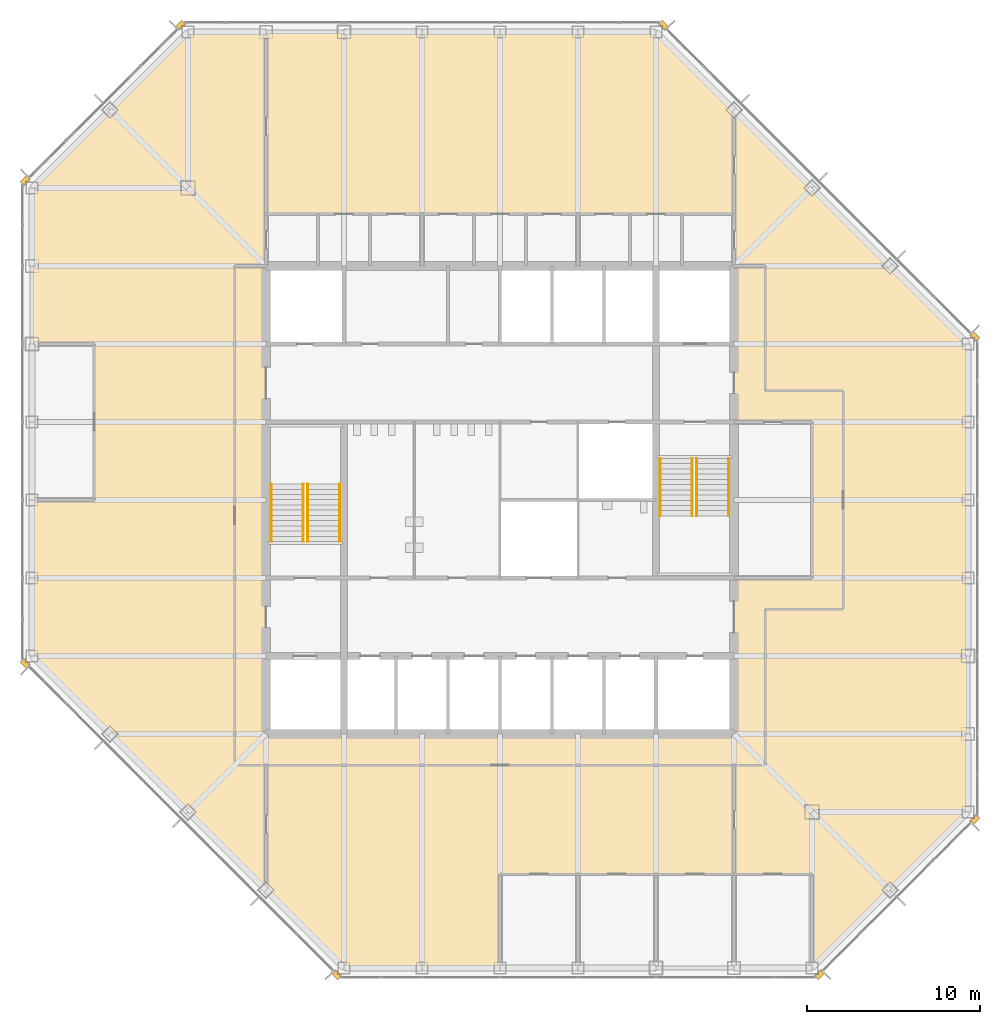
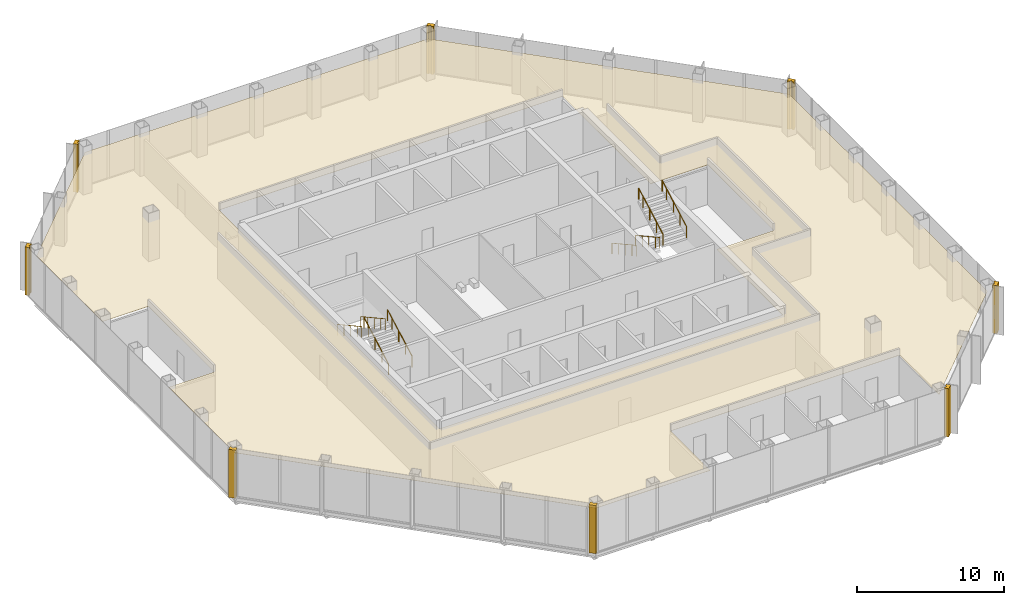
# One storey, part 11 of 12: 9 coverings, 8 railings.
"""IFC4 building model written with IfcOpenShell, lengths in metres."""

from ifc_helpers import new_model, si_unit, direction, frame, origin, origin_2d, place, context, subcontext, project, spatial, polyline, circle, outline, extrude, material, layer, layer_set, type_object, element, save


model = new_model("IFC4")

# Units and contexts
model_context = context("Model", 3, precision=1e-05, world=origin(), true_north=direction((0.0, 1.0)))
body_context = subcontext(model_context, "Body", "Model", "MODEL_VIEW")
ifc_project = project(units=[si_unit("LENGTHUNIT", "METRE"), si_unit("AREAUNIT", "SQUARE_METRE"), si_unit("VOLUMEUNIT", "CUBIC_METRE"), si_unit("PLANEANGLEUNIT", "RADIAN"), si_unit("MASSUNIT", "GRAM", prefix="KILO")], contexts=[model_context])

# Site, building, storey
site_placement = place(None, origin())
site = spatial("IfcSite", under=ifc_project, at=site_placement, CompositionType="ELEMENT")
building_placement = place(site_placement, origin())
building = spatial("IfcBuilding", under=site, at=building_placement, Name="Corais Broadcast Tower", CompositionType="ELEMENT")
storey_placement = place(building_placement, frame((0.0, 0.0, 163.60009765625)))
storey = spatial("IfcBuildingStorey", under=building, at=storey_placement, Name="L37", CompositionType="ELEMENT", Elevation=163.60009765625)

# Railings
ifc_material_1 = material(Name="Stainless steel handrail", Category="steel")
railing_type = type_object("IfcRailingType", Name="Handrail 920", PredefinedType="HANDRAIL", material=ifc_material_1)
for number, where, name in (
    (1, (17.75, 24.60009765625, 0.16650390625), "HR1 L37"),
    (2, (15.89990234375, 24.60009765625, 0.16650390625), "HR1 L37"),
):
    element("IfcRailing", number, at=place(storey_placement, frame(where)), inside=storey, type_object=railing_type, Name=name, PredefinedType="HANDRAIL", context=body_context, shape_type="SweptSolid", body=[
        extrude(circle(Radius=0.02392578125, at=origin_2d()), frame((0.0, 0.0, 0.89599609375), z_axis=(0.0, 0.875504475178, 0.483210010185), x_axis=(-1.0, 0.0, 0.0)), (0.0, 0.0, 1.0), 3.79443359375),
        extrude(circle(Radius=0.02099609375, at=origin_2d()), origin(), (0.0, 0.0, 1.0), 0.871826171875),
        extrude(circle(Radius=0.02099609375, at=origin_2d()), frame((0.0, 0.906005859375, 0.5)), (0.0, 0.0, 1.0), 0.871826171875),
        extrude(circle(Radius=0.02099609375, at=origin_2d()), frame((0.0, 1.81201171875, 1.0)), (0.0, 0.0, 1.0), 0.871826171875),
        extrude(circle(Radius=0.02099609375, at=origin_2d()), frame((0.0, 2.718017578125, 1.500244140625)), (0.0, 0.0, 1.0), 0.871826171875),
        extrude(circle(Radius=0.02099609375, at=origin_2d()), frame((0.0, 3.322021484375, 1.83349609375)), (0.0, 0.0, 1.0), 0.871826171875),
    ])
for number, where, name in (
    (3, (13.800048828125, 27.922119140625, 2.16650390625), "HR1 L37"),
    (4, (15.64990234375, 27.922119140625, 2.16650390625), "HR1 L37"),
    (5, (36.25, 29.39990234375, 0.16650390625), "HR1 L37"),
    (6, (38.10009765625, 29.39990234375, 0.16650390625), "HR1 L37"),
):
    element("IfcRailing", number, at=place(storey_placement, frame(where)), inside=storey, type_object=railing_type, Name=name, PredefinedType="HANDRAIL", context=body_context, shape_type="SweptSolid", body=[
        extrude(circle(Radius=0.02392578125, at=origin_2d()), frame((0.0, 0.0, 0.89599609375), z_axis=(0.0, -0.875504475178, 0.483210010185), x_axis=(1.0, 0.0, 0.0)), (0.0, 0.0, 1.0), 3.79443359375),
        extrude(circle(Radius=0.02099609375, at=origin_2d()), origin(), (0.0, 0.0, 1.0), 0.871826171875),
        extrude(circle(Radius=0.02099609375, at=origin_2d()), frame((0.0, -0.906005859375, 0.5)), (0.0, 0.0, 1.0), 0.871826171875),
        extrude(circle(Radius=0.02099609375, at=origin_2d()), frame((0.0, -1.81201171875, 1.0)), (0.0, 0.0, 1.0), 0.871826171875),
        extrude(circle(Radius=0.02099609375, at=origin_2d()), frame((0.0, -2.718017578125, 1.500244140625)), (0.0, 0.0, 1.0), 0.871826171875),
        extrude(circle(Radius=0.02099609375, at=origin_2d()), frame((0.0, -3.322021484375, 1.83349609375)), (0.0, 0.0, 1.0), 0.871826171875),
    ])
for number, where, name in (
    (7, (40.199951171875, 26.077880859375, 2.16650390625), "HR1 L37"),
    (8, (38.35009765625, 26.077880859375, 2.16650390625), "HR1 L37"),
):
    element("IfcRailing", number, at=place(storey_placement, frame(where)), inside=storey, type_object=railing_type, Name=name, PredefinedType="HANDRAIL", context=body_context, shape_type="SweptSolid", body=[
        extrude(circle(Radius=0.02392578125, at=origin_2d()), frame((0.0, 0.0, 0.89599609375), z_axis=(0.0, 0.875504475178, 0.483210010185), x_axis=(-1.0, 0.0, 0.0)), (0.0, 0.0, 1.0), 3.79443359375),
        extrude(circle(Radius=0.02099609375, at=origin_2d()), origin(), (0.0, 0.0, 1.0), 0.871826171875),
        extrude(circle(Radius=0.02099609375, at=origin_2d()), frame((0.0, 0.906005859375, 0.5)), (0.0, 0.0, 1.0), 0.871826171875),
        extrude(circle(Radius=0.02099609375, at=origin_2d()), frame((0.0, 1.81201171875, 1.0)), (0.0, 0.0, 1.0), 0.871826171875),
        extrude(circle(Radius=0.02099609375, at=origin_2d()), frame((0.0, 2.718017578125, 1.500244140625)), (0.0, 0.0, 1.0), 0.871826171875),
        extrude(circle(Radius=0.02099609375, at=origin_2d()), frame((0.0, 3.322021484375, 1.83349609375)), (0.0, 0.0, 1.0), 0.871826171875),
    ])

# Coverings
ifc_material_2 = material(Name="Granite stone cladding", Category="masonry")
ifc_layer_1 = layer(ifc_material_2, 0.324951171875)
ifc_layer_set_1 = layer_set([ifc_layer_1], Name="Granite stone cladding")
covering_type_1 = type_object("IfcCoveringType", Name="Stone corner pier cladding 500x325", PredefinedType="CLADDING", material=ifc_layer_set_1)
covering_1_placement = place(storey_placement, origin())
element("IfcCovering", 9, at=covering_1_placement, inside=storey, type_object=covering_type_1, Name="SP1 stone corner pier L37", PredefinedType="CLADDING", context=body_context, shape_type="SweptSolid", body=[
    extrude(outline(polyline([(17.860595703125, -0.461669921875), (17.77392578125, -0.375), (17.625, -0.375), (17.625, -0.22607421875), (17.507080078125, -0.108154296875), (17.277099609375, -0.337890625), (17.630859375, -0.69140625), (17.860595703125, -0.461669921875)])), origin(), (0.0, 0.0, 1.0), 4.0),
])
covering_2_placement = place(storey_placement, origin())
element("IfcCovering", 10, at=covering_2_placement, inside=storey, type_object=covering_type_1, Name="SP1 stone corner pier L37", PredefinedType="CLADDING", context=body_context, shape_type="SweptSolid", body=[
    extrude(outline(polyline([(-0.375, 17.77392578125), (-0.461669921875, 17.860595703125), (-0.69140625, 17.630859375), (-0.337890625, 17.277099609375), (-0.108154296875, 17.507080078125), (-0.22607421875, 17.625), (-0.375, 17.625), (-0.375, 17.77392578125)])), origin(), (0.0, 0.0, 1.0), 4.0),
])
covering_3_placement = place(storey_placement, origin())
element("IfcCovering", 11, at=covering_3_placement, inside=storey, type_object=covering_type_1, Name="SP1 stone corner pier L37", PredefinedType="CLADDING", context=body_context, shape_type="SweptSolid", body=[
    extrude(outline(polyline([(-0.461669921875, 45.139404296875), (-0.375, 45.22607421875), (-0.375, 45.375), (-0.22607421875, 45.375), (-0.108154296875, 45.492919921875), (-0.337890625, 45.722900390625), (-0.69140625, 45.369140625), (-0.461669921875, 45.139404296875)])), origin(), (0.0, 0.0, 1.0), 4.0),
])
covering_4_placement = place(storey_placement, origin())
element("IfcCovering", 12, at=covering_4_placement, inside=storey, type_object=covering_type_1, Name="SP1 stone corner pier L37", PredefinedType="CLADDING", context=body_context, shape_type="SweptSolid", body=[
    extrude(outline(polyline([(8.77392578125, 54.375), (8.860595703125, 54.461669921875), (8.630859375, 54.69140625), (8.277099609375, 54.337890625), (8.507080078125, 54.108154296875), (8.625, 54.22607421875), (8.625, 54.375), (8.77392578125, 54.375)])), origin(), (0.0, 0.0, 1.0), 4.0),
])
covering_5_placement = place(storey_placement, origin())
element("IfcCovering", 13, at=covering_5_placement, inside=storey, type_object=covering_type_1, Name="SP1 stone corner pier L37", PredefinedType="CLADDING", context=body_context, shape_type="SweptSolid", body=[
    extrude(outline(polyline([(36.139404296875, 54.461669921875), (36.22607421875, 54.375), (36.375, 54.375), (36.375, 54.22607421875), (36.492919921875, 54.108154296875), (36.722900390625, 54.337890625), (36.369140625, 54.69140625), (36.139404296875, 54.461669921875)])), origin(), (0.0, 0.0, 1.0), 4.0),
])
covering_6_placement = place(storey_placement, origin())
element("IfcCovering", 14, at=covering_6_placement, inside=storey, type_object=covering_type_1, Name="SP1 stone corner pier L37", PredefinedType="CLADDING", context=body_context, shape_type="SweptSolid", body=[
    extrude(outline(polyline([(54.375, 36.22607421875), (54.461669921875, 36.139404296875), (54.69140625, 36.369140625), (54.337890625, 36.722900390625), (54.108154296875, 36.492919921875), (54.22607421875, 36.375), (54.375, 36.375), (54.375, 36.22607421875)])), origin(), (0.0, 0.0, 1.0), 4.0),
])
covering_7_placement = place(storey_placement, origin())
element("IfcCovering", 15, at=covering_7_placement, inside=storey, type_object=covering_type_1, Name="SP1 stone corner pier L37", PredefinedType="CLADDING", context=body_context, shape_type="SweptSolid", body=[
    extrude(outline(polyline([(54.461669921875, 8.860595703125), (54.375, 8.77392578125), (54.375, 8.625), (54.22607421875, 8.625), (54.108154296875, 8.507080078125), (54.337890625, 8.277099609375), (54.69140625, 8.630859375), (54.461669921875, 8.860595703125)])), origin(), (0.0, 0.0, 1.0), 4.0),
])
covering_8_placement = place(storey_placement, origin())
element("IfcCovering", 16, at=covering_8_placement, inside=storey, type_object=covering_type_1, Name="SP1 stone corner pier L37", PredefinedType="CLADDING", context=body_context, shape_type="SweptSolid", body=[
    extrude(outline(polyline([(45.22607421875, -0.375), (45.139404296875, -0.461669921875), (45.369140625, -0.69140625), (45.722900390625, -0.337890625), (45.492919921875, -0.108154296875), (45.375, -0.22607421875), (45.375, -0.375), (45.22607421875, -0.375)])), origin(), (0.0, 0.0, 1.0), 4.0),
])
ifc_material_3 = material(Name="Mineral fibre ceiling tile", Category="mineral")
ifc_layer_2 = layer(ifc_material_3, 0.02001953125)
ifc_layer_set_2 = layer_set([ifc_layer_2], Name="Mineral fibre ceiling tile")
covering_type_2 = type_object("IfcCoveringType", Name="Suspended ceiling", PredefinedType="CEILING", material=ifc_layer_set_2)
covering_9_placement = place(storey_placement, frame((0.0, 0.0, 3.219970703125)))
element("IfcCovering", 17, at=covering_9_placement, inside=storey, type_object=covering_type_2, Name="CE1 ceiling L37", PredefinedType="CEILING", context=body_context, shape_type="SweptSolid", body=[
    extrude(outline(polyline([(18.0, 0.0), (13.501708984375, 4.498291015625), (13.499755859375, 4.500244140625), (0.0, 18.0), (0.0, 27.0), (3.60009765625, 27.0), (3.60009765625, 36.0), (0.0, 36.0), (0.0, 45.0), (9.0, 54.0), (36.0, 54.0), (54.0, 36.0), (54.0, 9.0), (45.0, 0.0), (45.0, 5.39990234375), (27.0, 5.39990234375), (27.0, 0.0), (18.0, 0.0)]), holes=[polyline([(40.5, 43.5), (13.5, 43.5), (13.5, 13.5), (40.5, 13.5), (40.5, 22.5), (45.0, 22.5), (45.0, 31.5), (40.5, 31.5), (40.5, 43.5)])]), origin(), (0.0, 0.0, 1.0), 0.02001953125),
])

save(model, "model.ifc")
